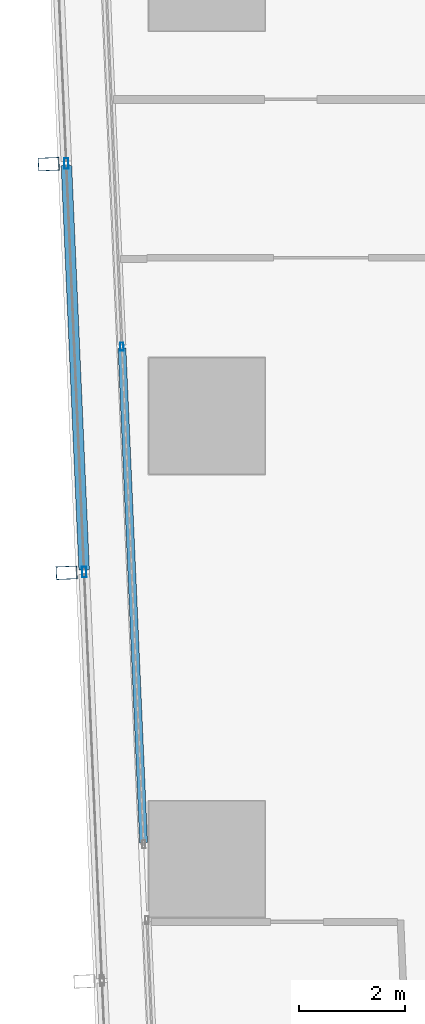
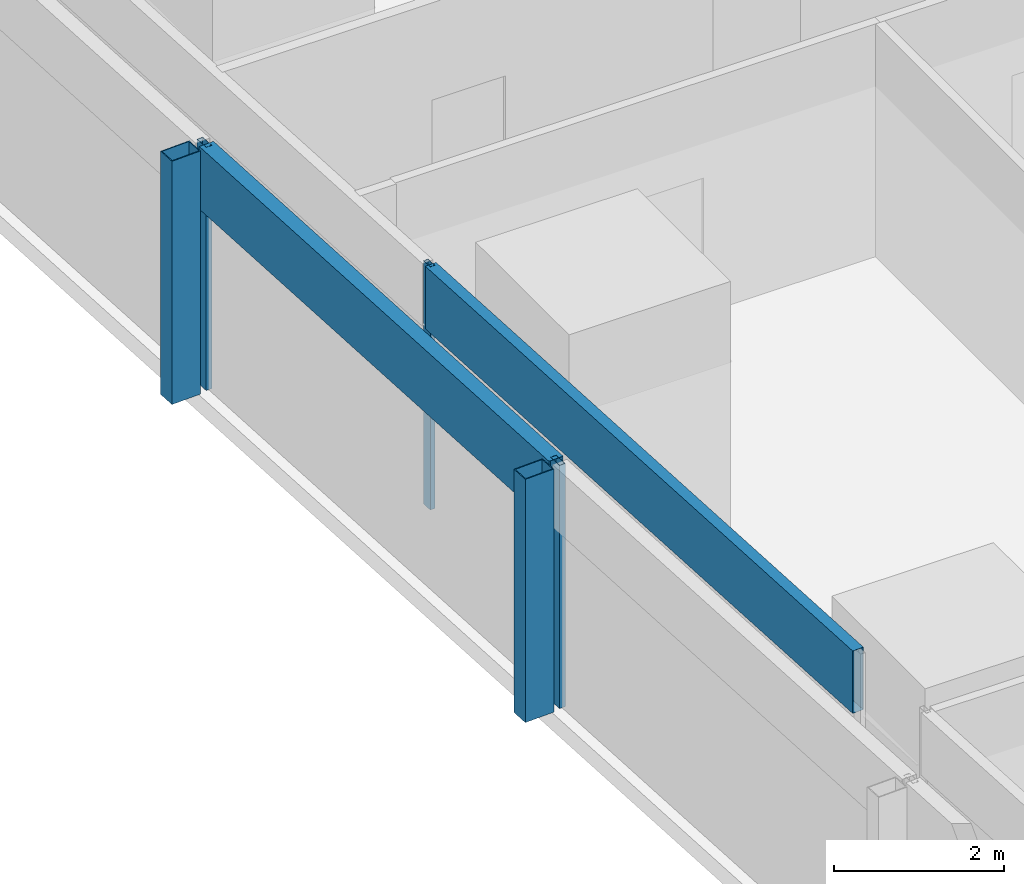
# One storey, part 7 of 44: 7 members, 2 elements without a shape of their own.
"""IFC4 building model written with IfcOpenShell, lengths in metres."""

from ifc_helpers import new_model, si_unit, direction, frame, origin, origin_2d, place, context, subcontext, project, spatial, hollow_rectangle, extrude, material, material_profile, profile_set, type_object, element, aggregate, save


model = new_model("IFC4")

# Units and contexts
model_context = context("Model", 3, precision=1e-05, world=origin(), true_north=direction((0.0, 1.0)))
body_context = subcontext(model_context, "Body", "Model", "MODEL_VIEW")
ifc_project = project(units=[si_unit("LENGTHUNIT", "METRE"), si_unit("AREAUNIT", "SQUARE_METRE"), si_unit("VOLUMEUNIT", "CUBIC_METRE"), si_unit("PLANEANGLEUNIT", "RADIAN"), si_unit("MASSUNIT", "GRAM", prefix="KILO")], contexts=[model_context])

# Site, building, storey
site_placement = place(None, origin())
site = spatial("IfcSite", under=ifc_project, at=site_placement, CompositionType="ELEMENT")
building_placement = place(site_placement, origin())
building = spatial("IfcBuilding", under=site, at=building_placement, Name="Rekha Terrace Tower", CompositionType="ELEMENT")
storey_placement = place(building_placement, frame((0.0, 0.0, 47.89990234375)))
storey = spatial("IfcBuildingStorey", under=building, at=storey_placement, Name="L11", CompositionType="ELEMENT", Elevation=47.89990234375)

# Curtain wall, members
ifc_material_1 = material(Name="Aluminium framing", Category="aluminium")
curtain_wall_type_1 = type_object("IfcCurtainWallType", Name="CW2 double skin outer glazing", PredefinedType="USERDEFINED", material=ifc_material_1)
curtain_wall_1_placement = place(storey_placement, origin())
curtain_wall_1 = element("IfcCurtainWall", 1, at=curtain_wall_1_placement, inside=storey, type_object=curtain_wall_type_1, Name="CW2 double skin outer glazing", ObjectType="DOUBLE SKIN OUTER GLAZING", PredefinedType="USERDEFINED")
ifc_material_2 = material(Name="Steel S355 with fluorocarbon finish", Category="steel")
ifc_material_profile_1 = material_profile(ifc_material_2, hollow_rectangle(XDim=0.25, YDim=0.39990234375, WallThickness=0.012451171875, at=origin_2d()), Name="RHS400x250x12.5")
ifc_profile_set_1 = profile_set([ifc_material_profile_1], Name="Steel S355 with fluorocarbon finish")
member_type_1 = type_object("IfcMemberType", Name="BL1 facade blade RHS 400 x 250", PredefinedType="USERDEFINED", material=ifc_profile_set_1)
member_1_placement = place(storey_placement, frame((5.40283203125, 29.97119140625, 0.0), z_axis=(0.0, 0.0, 1.0), x_axis=(0.04368215933, -0.999045478923, 0.0)))
member_1 = element("IfcMember", 2, at=member_1_placement, type_object=member_type_1, Name="Facade blade", ObjectType="FACADE BLADE", PredefinedType="USERDEFINED", context=body_context, shape_type="SweptSolid", body=[
    extrude(hollow_rectangle(XDim=0.25, YDim=0.39990234375, WallThickness=0.012451171875, at=origin_2d()), origin(), (0.0, 0.0, 1.0), 3.5),
])
member_2_placement = place(storey_placement, frame((5.74169921875, 22.226806640625, 0.0), z_axis=(0.0, 0.0, 1.0), x_axis=(0.04368215933, -0.999045478923, 0.0)))
member_2 = element("IfcMember", 3, at=member_2_placement, type_object=member_type_1, Name="Facade blade", ObjectType="FACADE BLADE", PredefinedType="USERDEFINED", context=body_context, shape_type="SweptSolid", body=[
    extrude(hollow_rectangle(XDim=0.25, YDim=0.39990234375, WallThickness=0.012451171875, at=origin_2d()), origin(), (0.0, 0.0, 1.0), 3.5),
])

curtain_wall_type_2 = type_object("IfcCurtainWallType", Name="CW1 double skin inner glazing", PredefinedType="USERDEFINED", material=ifc_material_1)
curtain_wall_2_placement = place(storey_placement, origin())
curtain_wall_2 = element("IfcCurtainWall", 4, at=curtain_wall_2_placement, inside=storey, type_object=curtain_wall_type_2, Name="CW1 double skin inner glazing", ObjectType="DOUBLE SKIN INNER GLAZING", PredefinedType="USERDEFINED")
ifc_material_3 = material(Name="Aluminium mullion section", Category="aluminium")
ifc_material_profile_2 = material_profile(ifc_material_3, hollow_rectangle(XDim=0.06494140625, YDim=0.14990234375, WallThickness=0.00390625, at=origin_2d()), Name="AL RHS 65x150")
ifc_profile_set_2 = profile_set([ifc_material_profile_2], Name="Aluminium mullion section")
member_type_2 = type_object("IfcMemberType", Name="CW1 mullion RHS 65 x 150", PredefinedType="MULLION", material=ifc_profile_set_2)
member_3_placement = place(storey_placement, frame((6.790283203125, 26.5126953125, 0.0), z_axis=(0.0, 0.0, 1.0), x_axis=(0.999045462133, 0.043682543337, 0.0)))
member_3 = element("IfcMember", 5, at=member_3_placement, type_object=member_type_2, Name="CW1 mullion 3", PredefinedType="MULLION", context=body_context, shape_type="SweptSolid", body=[
    extrude(hollow_rectangle(XDim=0.06494140625, YDim=0.14990234375, WallThickness=0.00390625, at=origin_2d()), origin(), (0.0, 0.0, 1.0), 3.5),
])
ifc_material_4 = material(Name="Insulated aluminium spandrel box", Category="aluminium")
ifc_material_profile_3 = material_profile(ifc_material_4, hollow_rectangle(XDim=0.14990234375, YDim=0.89990234375, WallThickness=0.0029296875, at=origin_2d()), Name="AL SPANDREL BOX 150x900")
ifc_profile_set_3 = profile_set([ifc_material_profile_3], Name="Insulated aluminium spandrel box")
member_type_3 = type_object("IfcMemberType", Name="CW1 spandrel transom 150 x 900", PredefinedType="USERDEFINED", material=ifc_profile_set_3)
member_4_placement = place(storey_placement, frame((6.791748046875, 26.480224609375, 3.050048828125), z_axis=(0.043688050697, -0.999045221312, 0.0), x_axis=(0.999045221312, 0.043688050697, 0.0)))
member_4 = element("IfcMember", 6, at=member_4_placement, type_object=member_type_3, Name="CW1 spandrel transom 3", ObjectType="TRANSOM", PredefinedType="USERDEFINED", context=body_context, shape_type="SweptSolid", body=[
    extrude(hollow_rectangle(XDim=0.14990234375, YDim=0.89990234375, WallThickness=0.0029296875, at=origin_2d()), origin(), (0.0, 0.0, 1.0), 9.377197265625),
])
aggregate(curtain_wall_2, [member_3, member_4])

# Member
ifc_material_profile_4 = material_profile(ifc_material_3, hollow_rectangle(XDim=0.080078125, YDim=0.199951171875, WallThickness=0.00390625, at=origin_2d()), Name="AL RHS 80x200")
ifc_profile_set_4 = profile_set([ifc_material_profile_4], Name="Aluminium mullion section")
member_type_4 = type_object("IfcMemberType", Name="CW2 mullion RHS 80 x 200", PredefinedType="MULLION", material=ifc_profile_set_4)
member_5_placement = place(storey_placement, frame((5.737548828125, 29.98583984375, 0.0), z_axis=(0.0, 0.0, 1.0), x_axis=(0.999045462131, 0.043682543372, 0.0)))
member_5 = element("IfcMember", 7, at=member_5_placement, type_object=member_type_4, Name="CW2 mullion 3", PredefinedType="MULLION", context=body_context, shape_type="SweptSolid", body=[
    extrude(hollow_rectangle(XDim=0.080078125, YDim=0.199951171875, WallThickness=0.00390625, at=origin_2d()), origin(), (0.0, 0.0, 1.0), 3.5),
])

member_6_placement = place(storey_placement, frame((6.076171875, 22.241455078125, 0.0), z_axis=(0.0, 0.0, 1.0), x_axis=(0.999045462131, 0.043682543372, 0.0)))
member_6 = element("IfcMember", 8, at=member_6_placement, type_object=member_type_4, Name="CW2 mullion 4", PredefinedType="MULLION", context=body_context, shape_type="SweptSolid", body=[
    extrude(hollow_rectangle(XDim=0.080078125, YDim=0.199951171875, WallThickness=0.00390625, at=origin_2d()), origin(), (0.0, 0.0, 1.0), 3.5),
])

ifc_material_profile_5 = material_profile(ifc_material_4, hollow_rectangle(XDim=0.199951171875, YDim=0.89990234375, WallThickness=0.0029296875, at=origin_2d()), Name="AL SPANDREL BOX 200x900")
ifc_profile_set_5 = profile_set([ifc_material_profile_5], Name="Insulated aluminium spandrel box")
member_type_5 = type_object("IfcMemberType", Name="CW2 spandrel transom 200 x 900", PredefinedType="USERDEFINED", material=ifc_profile_set_5)
member_7_placement = place(storey_placement, frame((5.7392578125, 29.94580078125, 3.050048828125), z_axis=(0.04369270591, -0.99904501773, 0.0), x_axis=(0.99904501773, 0.04369270591, 0.0)))
member_7 = element("IfcMember", 9, at=member_7_placement, type_object=member_type_5, Name="CW2 spandrel transom 3", ObjectType="TRANSOM", PredefinedType="USERDEFINED", context=body_context, shape_type="SweptSolid", body=[
    extrude(hollow_rectangle(XDim=0.199951171875, YDim=0.89990234375, WallThickness=0.0029296875, at=origin_2d()), origin(), (0.0, 0.0, 1.0), 7.671875),
])

aggregate(curtain_wall_1, [member_5, member_6, member_7, member_1, member_2])

save(model, "model.ifc")
